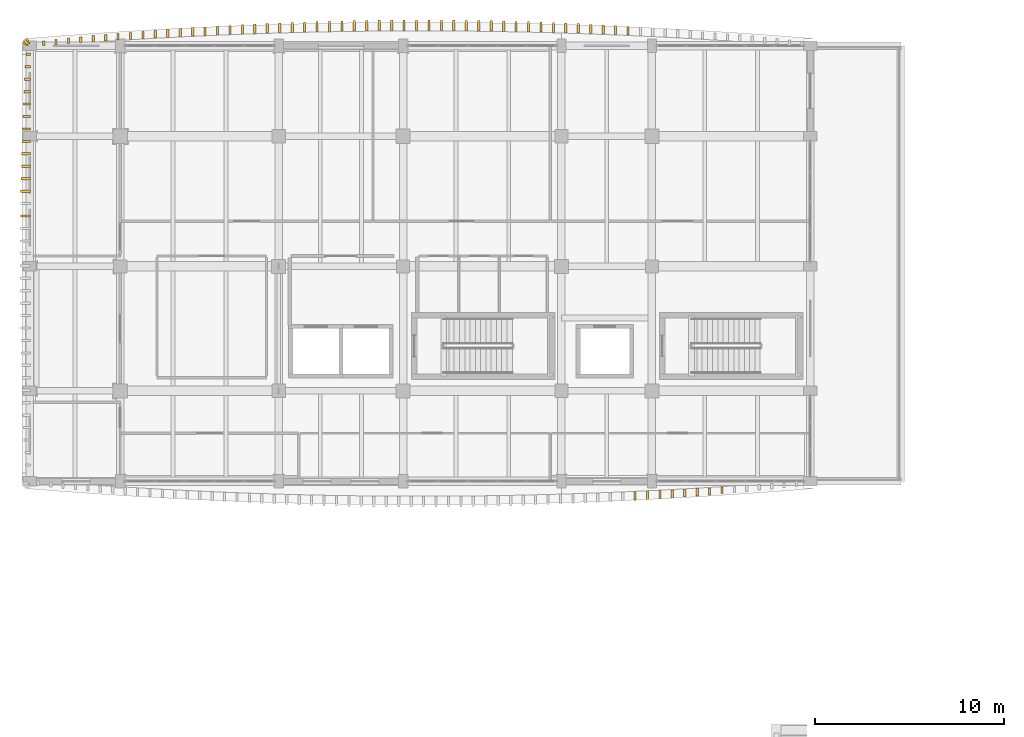
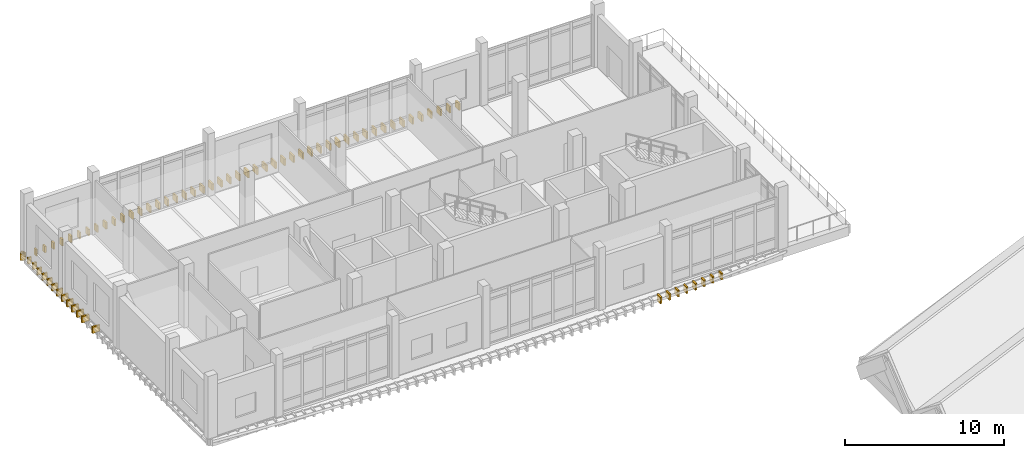
# One storey, part 44 of 50: 72 coverings.
"""IFC4 building model written with IfcOpenShell, lengths in metres."""

from ifc_helpers import new_model, si_unit, direction, frame, origin, origin_2d, place, context, subcontext, project, spatial, rectangle, extrude, material, layer, layer_set, type_object, element, save


model = new_model("IFC4")

# Units and contexts
model_context = context("Model", 3, precision=1e-05, world=origin(), true_north=direction((0.0, 1.0)))
body_context = subcontext(model_context, "Body", "Model", "MODEL_VIEW")
ifc_project = project(units=[si_unit("LENGTHUNIT", "METRE"), si_unit("AREAUNIT", "SQUARE_METRE"), si_unit("VOLUMEUNIT", "CUBIC_METRE"), si_unit("PLANEANGLEUNIT", "RADIAN"), si_unit("MASSUNIT", "GRAM", prefix="KILO")], contexts=[model_context])

# Site, building, storey
site_placement = place(None, origin())
site = spatial("IfcSite", under=ifc_project, at=site_placement, CompositionType="ELEMENT")
building_placement = place(site_placement, origin())
building = spatial("IfcBuilding", under=site, at=building_placement, Name="Dornvale Research Institute", CompositionType="ELEMENT")
storey_placement = place(building_placement, frame((0.0, 0.0, 19.800048828125)))
storey = spatial("IfcBuildingStorey", under=building, at=storey_placement, Name="L04", CompositionType="ELEMENT", Elevation=19.800048828125)

# Coverings
ifc_material = material(Name="Polychrome Glazed Terracotta Visor Rib Ceramic", Category="masonry")
ifc_layer = layer(ifc_material, 0.1201171875)
ifc_layer_set = layer_set([ifc_layer], Name="Polychrome Glazed Terracotta Visor Rib Ceramic")
covering_type = type_object("IfcCoveringType", Name="Covering_VisorBlade_Main", PredefinedType="CLADDING", material=ifc_layer_set)
covering_1_placement = place(storey_placement, frame((32.102783203125, 98.220703125, -0.489990234375), z_axis=(0.0, 0.0, 1.0), x_axis=(0.0, 1.0, 0.0)))
element("IfcCovering", 1, at=covering_1_placement, inside=storey, type_object=covering_type, Name="L04 V5 canted glazed terracotta visor blade #671", PredefinedType="CLADDING", context=body_context, shape_type="SweptSolid", body=[
    extrude(rectangle(XDim=0.45703125, YDim=0.1201171875, at=origin_2d()), origin(), (0.0, 0.0, 1.0), 0.5),
])
covering_2_placement = place(storey_placement, frame((32.76220703125, 98.257080078125, -0.489990234375), z_axis=(0.0, 0.0, 1.0), x_axis=(0.0, 1.0, 0.0)))
element("IfcCovering", 2, at=covering_2_placement, inside=storey, type_object=covering_type, Name="L04 V5 canted glazed terracotta visor blade #672", PredefinedType="CLADDING", context=body_context, shape_type="SweptSolid", body=[
    extrude(rectangle(XDim=0.445068359375, YDim=0.1201171875, at=origin_2d()), origin(), (0.0, 0.0, 1.0), 0.5),
])
covering_3_placement = place(storey_placement, frame((33.42138671875, 98.2958984375, -0.489990234375), z_axis=(0.0, 0.0, 1.0), x_axis=(0.0, 1.0, 0.0)))
element("IfcCovering", 3, at=covering_3_placement, inside=storey, type_object=covering_type, Name="L04 V5 canted glazed terracotta visor blade #673", PredefinedType="CLADDING", context=body_context, shape_type="SweptSolid", body=[
    extrude(rectangle(XDim=0.431884765625, YDim=0.1201171875, at=origin_2d()), origin(), (0.0, 0.0, 1.0), 0.5),
])
covering_4_placement = place(storey_placement, frame((34.08056640625, 98.33740234375, -0.489990234375), z_axis=(0.0, 0.0, 1.0), x_axis=(0.0, 1.0, 0.0)))
element("IfcCovering", 4, at=covering_4_placement, inside=storey, type_object=covering_type, Name="L04 V5 canted glazed terracotta visor blade #674", PredefinedType="CLADDING", context=body_context, shape_type="SweptSolid", body=[
    extrude(rectangle(XDim=0.41796875, YDim=0.1201171875, at=origin_2d()), origin(), (0.0, 0.0, 1.0), 0.5),
])
covering_5_placement = place(storey_placement, frame((34.739501953125, 98.379150390625, -0.489990234375), z_axis=(0.0, 0.0, 1.0), x_axis=(0.0, 1.0, 0.0)))
element("IfcCovering", 5, at=covering_5_placement, inside=storey, type_object=covering_type, Name="L04 V5 canted glazed terracotta visor blade #675", PredefinedType="CLADDING", context=body_context, shape_type="SweptSolid", body=[
    extrude(rectangle(XDim=0.404052734375, YDim=0.1201171875, at=origin_2d()), origin(), (0.0, 0.0, 1.0), 0.5),
])
covering_6_placement = place(storey_placement, frame((35.3984375, 98.42529296875, -0.489990234375), z_axis=(0.0, 0.0, 1.0), x_axis=(0.0, 1.0, 0.0)))
element("IfcCovering", 6, at=covering_6_placement, inside=storey, type_object=covering_type, Name="L04 V5 canted glazed terracotta visor blade #676", PredefinedType="CLADDING", context=body_context, shape_type="SweptSolid", body=[
    extrude(rectangle(XDim=0.388916015625, YDim=0.1201171875, at=origin_2d()), origin(), (0.0, 0.0, 1.0), 0.5),
])
covering_7_placement = place(storey_placement, frame((36.057373046875, 98.472412109375, -0.489990234375), z_axis=(0.0, 0.0, 1.0), x_axis=(0.0, 1.0, 0.0)))
element("IfcCovering", 7, at=covering_7_placement, inside=storey, type_object=covering_type, Name="L04 V5 canted glazed terracotta visor blade #677", PredefinedType="CLADDING", context=body_context, shape_type="SweptSolid", body=[
    extrude(rectangle(XDim=0.373046875, YDim=0.1201171875, at=origin_2d()), origin(), (0.0, 0.0, 1.0), 0.5),
])
covering_8_placement = place(storey_placement, frame((36.716064453125, 98.521240234375, -0.489990234375), z_axis=(0.0, 0.0, 1.0), x_axis=(0.0, 1.0, 0.0)))
element("IfcCovering", 8, at=covering_8_placement, inside=storey, type_object=covering_type, Name="L04 V5 canted glazed terracotta visor blade #678", PredefinedType="CLADDING", context=body_context, shape_type="SweptSolid", body=[
    extrude(rectangle(XDim=0.35693359375, YDim=0.1201171875, at=origin_2d()), origin(), (0.0, 0.0, 1.0), 0.5),
])
covering_9_placement = place(storey_placement, frame((31.729736328125, 122.89990234375, -0.489990234375), z_axis=(0.0, 0.0, 1.0), x_axis=(0.0, 1.0, 0.0)))
element("IfcCovering", 9, at=covering_9_placement, inside=storey, type_object=covering_type, Name="L04 V5 canted glazed terracotta visor blade #699", PredefinedType="CLADDING", context=body_context, shape_type="SweptSolid", body=[
    extrude(rectangle(XDim=0.464111328125, YDim=0.1201171875, at=origin_2d()), origin(), (0.0, 0.0, 1.0), 0.5),
])
covering_10_placement = place(storey_placement, frame((31.0703125, 122.93310546875, -0.489990234375), z_axis=(0.0, 0.0, 1.0), x_axis=(0.0, 1.0, 0.0)))
element("IfcCovering", 10, at=covering_10_placement, inside=storey, type_object=covering_type, Name="L04 V5 canted glazed terracotta visor blade #700", PredefinedType="CLADDING", context=body_context, shape_type="SweptSolid", body=[
    extrude(rectangle(XDim=0.47509765625, YDim=0.1201171875, at=origin_2d()), origin(), (0.0, 0.0, 1.0), 0.5),
])
covering_11_placement = place(storey_placement, frame((30.410888671875, 122.964111328125, -0.489990234375), z_axis=(0.0, 0.0, 1.0), x_axis=(0.0, 1.0, 0.0)))
element("IfcCovering", 11, at=covering_11_placement, inside=storey, type_object=covering_type, Name="L04 V5 canted glazed terracotta visor blade #701", PredefinedType="CLADDING", context=body_context, shape_type="SweptSolid", body=[
    extrude(rectangle(XDim=0.485107421875, YDim=0.1201171875, at=origin_2d()), origin(), (0.0, 0.0, 1.0), 0.5),
])
covering_12_placement = place(storey_placement, frame((29.751220703125, 122.994873046875, -0.489990234375), z_axis=(0.0, 0.0, 1.0), x_axis=(0.0, 1.0, 0.0)))
element("IfcCovering", 12, at=covering_12_placement, inside=storey, type_object=covering_type, Name="L04 V5 canted glazed terracotta visor blade #702", PredefinedType="CLADDING", context=body_context, shape_type="SweptSolid", body=[
    extrude(rectangle(XDim=0.4951171875, YDim=0.1201171875, at=origin_2d()), origin(), (0.0, 0.0, 1.0), 0.5),
])
covering_13_placement = place(storey_placement, frame((29.091552734375, 123.02099609375, -0.489990234375), z_axis=(0.0, 0.0, 1.0), x_axis=(0.0, 1.0, 0.0)))
element("IfcCovering", 13, at=covering_13_placement, inside=storey, type_object=covering_type, Name="L04 V5 canted glazed terracotta visor blade #703", PredefinedType="CLADDING", context=body_context, shape_type="SweptSolid", body=[
    extrude(rectangle(XDim=0.50390625, YDim=0.1201171875, at=origin_2d()), origin(), (0.0, 0.0, 1.0), 0.5),
])
covering_14_placement = place(storey_placement, frame((28.431884765625, 123.047119140625, -0.489990234375), z_axis=(0.0, 0.0, 1.0), x_axis=(0.0, 1.0, 0.0)))
element("IfcCovering", 14, at=covering_14_placement, inside=storey, type_object=covering_type, Name="L04 V5 canted glazed terracotta visor blade #704", PredefinedType="CLADDING", context=body_context, shape_type="SweptSolid", body=[
    extrude(rectangle(XDim=0.512939453125, YDim=0.1201171875, at=origin_2d()), origin(), (0.0, 0.0, 1.0), 0.5),
])
covering_15_placement = place(storey_placement, frame((27.772216796875, 123.06982421875, -0.489990234375), z_axis=(0.0, 0.0, 1.0), x_axis=(0.0, 1.0, 0.0)))
element("IfcCovering", 15, at=covering_15_placement, inside=storey, type_object=covering_type, Name="L04 V5 canted glazed terracotta visor blade #705", PredefinedType="CLADDING", context=body_context, shape_type="SweptSolid", body=[
    extrude(rectangle(XDim=0.52001953125, YDim=0.1201171875, at=origin_2d()), origin(), (0.0, 0.0, 1.0), 0.5),
])
covering_16_placement = place(storey_placement, frame((27.112548828125, 123.0908203125, -0.489990234375), z_axis=(0.0, 0.0, 1.0), x_axis=(0.0, 1.0, 0.0)))
element("IfcCovering", 16, at=covering_16_placement, inside=storey, type_object=covering_type, Name="L04 V5 canted glazed terracotta visor blade #706", PredefinedType="CLADDING", context=body_context, shape_type="SweptSolid", body=[
    extrude(rectangle(XDim=0.527099609375, YDim=0.1201171875, at=origin_2d()), origin(), (0.0, 0.0, 1.0), 0.5),
])
covering_17_placement = place(storey_placement, frame((26.45263671875, 123.111328125, -0.489990234375), z_axis=(0.0, 0.0, 1.0), x_axis=(0.0, 1.0, 0.0)))
element("IfcCovering", 17, at=covering_17_placement, inside=storey, type_object=covering_type, Name="L04 V5 canted glazed terracotta visor blade #707", PredefinedType="CLADDING", context=body_context, shape_type="SweptSolid", body=[
    extrude(rectangle(XDim=0.533935546875, YDim=0.1201171875, at=origin_2d()), origin(), (0.0, 0.0, 1.0), 0.5),
])
covering_18_placement = place(storey_placement, frame((25.792724609375, 123.126708984375, -0.489990234375), z_axis=(0.0, 0.0, 1.0), x_axis=(0.0, 1.0, 0.0)))
element("IfcCovering", 18, at=covering_18_placement, inside=storey, type_object=covering_type, Name="L04 V5 canted glazed terracotta visor blade #708", PredefinedType="CLADDING", context=body_context, shape_type="SweptSolid", body=[
    extrude(rectangle(XDim=0.5390625, YDim=0.1201171875, at=origin_2d()), origin(), (0.0, 0.0, 1.0), 0.5),
])
covering_19_placement = place(storey_placement, frame((25.133056640625, 123.14208984375, -0.489990234375), z_axis=(0.0, 0.0, 1.0), x_axis=(0.0, 1.0, 0.0)))
element("IfcCovering", 19, at=covering_19_placement, inside=storey, type_object=covering_type, Name="L04 V5 canted glazed terracotta visor blade #709", PredefinedType="CLADDING", context=body_context, shape_type="SweptSolid", body=[
    extrude(rectangle(XDim=0.5439453125, YDim=0.1201171875, at=origin_2d()), origin(), (0.0, 0.0, 1.0), 0.5),
])
covering_20_placement = place(storey_placement, frame((24.47314453125, 123.1552734375, -0.489990234375), z_axis=(0.0, 0.0, 1.0), x_axis=(0.0, 1.0, 0.0)))
element("IfcCovering", 20, at=covering_20_placement, inside=storey, type_object=covering_type, Name="L04 V5 canted glazed terracotta visor blade #710", PredefinedType="CLADDING", context=body_context, shape_type="SweptSolid", body=[
    extrude(rectangle(XDim=0.549072265625, YDim=0.1201171875, at=origin_2d()), origin(), (0.0, 0.0, 1.0), 0.5),
])
covering_21_placement = place(storey_placement, frame((23.81298828125, 123.16552734375, -0.489990234375), z_axis=(0.0, 0.0, 1.0), x_axis=(0.0, 1.0, 0.0)))
element("IfcCovering", 21, at=covering_21_placement, inside=storey, type_object=covering_type, Name="L04 V5 canted glazed terracotta visor blade #711", PredefinedType="CLADDING", context=body_context, shape_type="SweptSolid", body=[
    extrude(rectangle(XDim=0.552001953125, YDim=0.1201171875, at=origin_2d()), origin(), (0.0, 0.0, 1.0), 0.5),
])
covering_22_placement = place(storey_placement, frame((23.1533203125, 123.175537109375, -0.489990234375), z_axis=(0.0, 0.0, 1.0), x_axis=(0.0, 1.0, 0.0)))
element("IfcCovering", 22, at=covering_22_placement, inside=storey, type_object=covering_type, Name="L04 V5 canted glazed terracotta visor blade #712", PredefinedType="CLADDING", context=body_context, shape_type="SweptSolid", body=[
    extrude(rectangle(XDim=0.554931640625, YDim=0.1201171875, at=origin_2d()), origin(), (0.0, 0.0, 1.0), 0.5),
])
covering_23_placement = place(storey_placement, frame((22.4931640625, 123.180908203125, -0.489990234375), z_axis=(0.0, 0.0, 1.0), x_axis=(0.0, 1.0, 0.0)))
element("IfcCovering", 23, at=covering_23_placement, inside=storey, type_object=covering_type, Name="L04 V5 canted glazed terracotta visor blade #713", PredefinedType="CLADDING", context=body_context, shape_type="SweptSolid", body=[
    extrude(rectangle(XDim=0.556884765625, YDim=0.1201171875, at=origin_2d()), origin(), (0.0, 0.0, 1.0), 0.5),
])
covering_24_placement = place(storey_placement, frame((21.833251953125, 123.18603515625, -0.489990234375), z_axis=(0.0, 0.0, 1.0), x_axis=(0.0, 1.0, 0.0)))
element("IfcCovering", 24, at=covering_24_placement, inside=storey, type_object=covering_type, Name="L04 V5 canted glazed terracotta visor blade #714", PredefinedType="CLADDING", context=body_context, shape_type="SweptSolid", body=[
    extrude(rectangle(XDim=0.55908203125, YDim=0.1201171875, at=origin_2d()), origin(), (0.0, 0.0, 1.0), 0.5),
])
for number, where, z_axis, x_axis, name in (
    (25, (21.173095703125, 123.188720703125, -0.489990234375), (0.0, 0.0, 1.0), (0.0, 1.0, 0.0), "L04 V5 canted glazed terracotta visor blade #715"),
    (26, (20.51318359375, 123.188720703125, -0.489990234375), (0.0, 0.0, 1.0), (0.0, 1.0, 0.0), "L04 V5 canted glazed terracotta visor blade #716"),
):
    element("IfcCovering", number, at=place(storey_placement, frame(where, z_axis=z_axis, x_axis=x_axis)), inside=storey, type_object=covering_type, Name=name, PredefinedType="CLADDING", context=body_context, shape_type="SweptSolid", body=[
        extrude(rectangle(XDim=0.56005859375, YDim=0.1201171875, at=origin_2d()), origin(), (0.0, 0.0, 1.0), 0.5),
    ])
covering_25_placement = place(storey_placement, frame((19.853271484375, 123.18798828125, -0.489990234375), z_axis=(0.0, 0.0, 1.0), x_axis=(0.0, 1.0, 0.0)))
element("IfcCovering", 27, at=covering_25_placement, inside=storey, type_object=covering_type, Name="L04 V5 canted glazed terracotta visor blade #717", PredefinedType="CLADDING", context=body_context, shape_type="SweptSolid", body=[
    extrude(rectangle(XDim=0.55908203125, YDim=0.1201171875, at=origin_2d()), origin(), (0.0, 0.0, 1.0), 0.5),
])
covering_26_placement = place(storey_placement, frame((19.193115234375, 123.18310546875, -0.489990234375), z_axis=(0.0, 0.0, 1.0), x_axis=(0.0, 1.0, 0.0)))
element("IfcCovering", 28, at=covering_26_placement, inside=storey, type_object=covering_type, Name="L04 V5 canted glazed terracotta visor blade #718", PredefinedType="CLADDING", context=body_context, shape_type="SweptSolid", body=[
    extrude(rectangle(XDim=0.55810546875, YDim=0.1201171875, at=origin_2d()), origin(), (0.0, 0.0, 1.0), 0.5),
])
covering_27_placement = place(storey_placement, frame((18.533203125, 123.177978515625, -0.489990234375), z_axis=(0.0, 0.0, 1.0), x_axis=(0.0, 1.0, 0.0)))
element("IfcCovering", 29, at=covering_27_placement, inside=storey, type_object=covering_type, Name="L04 V5 canted glazed terracotta visor blade #719", PredefinedType="CLADDING", context=body_context, shape_type="SweptSolid", body=[
    extrude(rectangle(XDim=0.555908203125, YDim=0.1201171875, at=origin_2d()), origin(), (0.0, 0.0, 1.0), 0.5),
])
covering_28_placement = place(storey_placement, frame((17.873291015625, 123.17041015625, -0.489990234375), z_axis=(0.0, 0.0, 1.0), x_axis=(0.0, 1.0, 0.0)))
element("IfcCovering", 30, at=covering_28_placement, inside=storey, type_object=covering_type, Name="L04 V5 canted glazed terracotta visor blade #720", PredefinedType="CLADDING", context=body_context, shape_type="SweptSolid", body=[
    extrude(rectangle(XDim=0.553955078125, YDim=0.1201171875, at=origin_2d()), origin(), (0.0, 0.0, 1.0), 0.5),
])
covering_29_placement = place(storey_placement, frame((17.21337890625, 123.15966796875, -0.489990234375), z_axis=(0.0, 0.0, 1.0), x_axis=(0.0, 1.0, 0.0)))
element("IfcCovering", 31, at=covering_29_placement, inside=storey, type_object=covering_type, Name="L04 V5 canted glazed terracotta visor blade #721", PredefinedType="CLADDING", context=body_context, shape_type="SweptSolid", body=[
    extrude(rectangle(XDim=0.550048828125, YDim=0.1201171875, at=origin_2d()), origin(), (0.0, 0.0, 1.0), 0.5),
])
covering_30_placement = place(storey_placement, frame((16.553466796875, 123.14892578125, -0.489990234375), z_axis=(0.0, 0.0, 1.0), x_axis=(0.0, 1.0, 0.0)))
element("IfcCovering", 32, at=covering_30_placement, inside=storey, type_object=covering_type, Name="L04 V5 canted glazed terracotta visor blade #722", PredefinedType="CLADDING", context=body_context, shape_type="SweptSolid", body=[
    extrude(rectangle(XDim=0.5458984375, YDim=0.1201171875, at=origin_2d()), origin(), (0.0, 0.0, 1.0), 0.5),
])
covering_31_placement = place(storey_placement, frame((15.8935546875, 123.1337890625, -0.489990234375), z_axis=(0.0, 0.0, 1.0), x_axis=(0.0, 1.0, 0.0)))
element("IfcCovering", 33, at=covering_31_placement, inside=storey, type_object=covering_type, Name="L04 V5 canted glazed terracotta visor blade #723", PredefinedType="CLADDING", context=body_context, shape_type="SweptSolid", body=[
    extrude(rectangle(XDim=0.5419921875, YDim=0.1201171875, at=origin_2d()), origin(), (0.0, 0.0, 1.0), 0.5),
])
covering_32_placement = place(storey_placement, frame((15.233642578125, 123.117919921875, -0.489990234375), z_axis=(0.0, 0.0, 1.0), x_axis=(0.0, 1.0, 0.0)))
element("IfcCovering", 34, at=covering_32_placement, inside=storey, type_object=covering_type, Name="L04 V5 canted glazed terracotta visor blade #724", PredefinedType="CLADDING", context=body_context, shape_type="SweptSolid", body=[
    extrude(rectangle(XDim=0.535888671875, YDim=0.1201171875, at=origin_2d()), origin(), (0.0, 0.0, 1.0), 0.5),
])
covering_33_placement = place(storey_placement, frame((14.57373046875, 123.099609375, -0.489990234375), z_axis=(0.0, 0.0, 1.0), x_axis=(0.0, 1.0, 0.0)))
element("IfcCovering", 35, at=covering_33_placement, inside=storey, type_object=covering_type, Name="L04 V5 canted glazed terracotta visor blade #725", PredefinedType="CLADDING", context=body_context, shape_type="SweptSolid", body=[
    extrude(rectangle(XDim=0.530029296875, YDim=0.1201171875, at=origin_2d()), origin(), (0.0, 0.0, 1.0), 0.5),
])
covering_34_placement = place(storey_placement, frame((13.9140625, 123.079345703125, -0.489990234375), z_axis=(0.0, 0.0, 1.0), x_axis=(0.0, 1.0, 0.0)))
element("IfcCovering", 36, at=covering_34_placement, inside=storey, type_object=covering_type, Name="L04 V5 canted glazed terracotta visor blade #726", PredefinedType="CLADDING", context=body_context, shape_type="SweptSolid", body=[
    extrude(rectangle(XDim=0.52392578125, YDim=0.1201171875, at=origin_2d()), origin(), (0.0, 0.0, 1.0), 0.5),
])
covering_35_placement = place(storey_placement, frame((13.25439453125, 123.05810546875, -0.489990234375), z_axis=(0.0, 0.0, 1.0), x_axis=(0.0, 1.0, 0.0)))
element("IfcCovering", 37, at=covering_35_placement, inside=storey, type_object=covering_type, Name="L04 V5 canted glazed terracotta visor blade #727", PredefinedType="CLADDING", context=body_context, shape_type="SweptSolid", body=[
    extrude(rectangle(XDim=0.51611328125, YDim=0.1201171875, at=origin_2d()), origin(), (0.0, 0.0, 1.0), 0.5),
])
covering_36_placement = place(storey_placement, frame((12.594482421875, 123.0322265625, -0.489990234375), z_axis=(0.0, 0.0, 1.0), x_axis=(0.0, 1.0, 0.0)))
element("IfcCovering", 38, at=covering_36_placement, inside=storey, type_object=covering_type, Name="L04 V5 canted glazed terracotta visor blade #728", PredefinedType="CLADDING", context=body_context, shape_type="SweptSolid", body=[
    extrude(rectangle(XDim=0.508056640625, YDim=0.1201171875, at=origin_2d()), origin(), (0.0, 0.0, 1.0), 0.5),
])
covering_37_placement = place(storey_placement, frame((11.93505859375, 123.006103515625, -0.489990234375), z_axis=(0.0, 0.0, 1.0), x_axis=(0.0, 1.0, 0.0)))
element("IfcCovering", 39, at=covering_37_placement, inside=storey, type_object=covering_type, Name="L04 V5 canted glazed terracotta visor blade #729", PredefinedType="CLADDING", context=body_context, shape_type="SweptSolid", body=[
    extrude(rectangle(XDim=0.4990234375, YDim=0.1201171875, at=origin_2d()), origin(), (0.0, 0.0, 1.0), 0.5),
])
covering_38_placement = place(storey_placement, frame((11.275390625, 122.977783203125, -0.489990234375), z_axis=(0.0, 0.0, 1.0), x_axis=(0.0, 1.0, 0.0)))
element("IfcCovering", 40, at=covering_38_placement, inside=storey, type_object=covering_type, Name="L04 V5 canted glazed terracotta visor blade #730", PredefinedType="CLADDING", context=body_context, shape_type="SweptSolid", body=[
    extrude(rectangle(XDim=0.489990234375, YDim=0.1201171875, at=origin_2d()), origin(), (0.0, 0.0, 1.0), 0.5),
])
covering_39_placement = place(storey_placement, frame((10.615966796875, 122.946533203125, -0.489990234375), z_axis=(0.0, 0.0, 1.0), x_axis=(0.0, 1.0, 0.0)))
element("IfcCovering", 41, at=covering_39_placement, inside=storey, type_object=covering_type, Name="L04 V5 canted glazed terracotta visor blade #731", PredefinedType="CLADDING", context=body_context, shape_type="SweptSolid", body=[
    extrude(rectangle(XDim=0.47900390625, YDim=0.1201171875, at=origin_2d()), origin(), (0.0, 0.0, 1.0), 0.5),
])
covering_40_placement = place(storey_placement, frame((9.956298828125, 122.91552734375, -0.489990234375), z_axis=(0.0, 0.0, 1.0), x_axis=(0.0, 1.0, 0.0)))
element("IfcCovering", 42, at=covering_40_placement, inside=storey, type_object=covering_type, Name="L04 V5 canted glazed terracotta visor blade #732", PredefinedType="CLADDING", context=body_context, shape_type="SweptSolid", body=[
    extrude(rectangle(XDim=0.468994140625, YDim=0.1201171875, at=origin_2d()), origin(), (0.0, 0.0, 1.0), 0.5),
])
covering_41_placement = place(storey_placement, frame((9.297119140625, 122.87939453125, -0.489990234375), z_axis=(0.0, 0.0, 1.0), x_axis=(0.0, 1.0, 0.0)))
element("IfcCovering", 43, at=covering_41_placement, inside=storey, type_object=covering_type, Name="L04 V5 canted glazed terracotta visor blade #733", PredefinedType="CLADDING", context=body_context, shape_type="SweptSolid", body=[
    extrude(rectangle(XDim=0.45703125, YDim=0.1201171875, at=origin_2d()), origin(), (0.0, 0.0, 1.0), 0.5),
])
covering_42_placement = place(storey_placement, frame((8.6376953125, 122.843017578125, -0.489990234375), z_axis=(0.0, 0.0, 1.0), x_axis=(0.0, 1.0, 0.0)))
element("IfcCovering", 44, at=covering_42_placement, inside=storey, type_object=covering_type, Name="L04 V5 canted glazed terracotta visor blade #734", PredefinedType="CLADDING", context=body_context, shape_type="SweptSolid", body=[
    extrude(rectangle(XDim=0.445068359375, YDim=0.1201171875, at=origin_2d()), origin(), (0.0, 0.0, 1.0), 0.5),
])
covering_43_placement = place(storey_placement, frame((7.978515625, 122.80419921875, -0.489990234375), z_axis=(0.0, 0.0, 1.0), x_axis=(0.0, 1.0, 0.0)))
element("IfcCovering", 45, at=covering_43_placement, inside=storey, type_object=covering_type, Name="L04 V5 canted glazed terracotta visor blade #735", PredefinedType="CLADDING", context=body_context, shape_type="SweptSolid", body=[
    extrude(rectangle(XDim=0.431884765625, YDim=0.1201171875, at=origin_2d()), origin(), (0.0, 0.0, 1.0), 0.5),
])
covering_44_placement = place(storey_placement, frame((7.319580078125, 122.762451171875, -0.489990234375), z_axis=(0.0, 0.0, 1.0), x_axis=(0.0, 1.0, 0.0)))
element("IfcCovering", 46, at=covering_44_placement, inside=storey, type_object=covering_type, Name="L04 V5 canted glazed terracotta visor blade #736", PredefinedType="CLADDING", context=body_context, shape_type="SweptSolid", body=[
    extrude(rectangle(XDim=0.41796875, YDim=0.1201171875, at=origin_2d()), origin(), (0.0, 0.0, 1.0), 0.5),
])
covering_45_placement = place(storey_placement, frame((6.660400390625, 122.720947265625, -0.489990234375), z_axis=(0.0, 0.0, 1.0), x_axis=(0.0, 1.0, 0.0)))
element("IfcCovering", 47, at=covering_45_placement, inside=storey, type_object=covering_type, Name="L04 V5 canted glazed terracotta visor blade #737", PredefinedType="CLADDING", context=body_context, shape_type="SweptSolid", body=[
    extrude(rectangle(XDim=0.404052734375, YDim=0.1201171875, at=origin_2d()), origin(), (0.0, 0.0, 1.0), 0.5),
])
covering_46_placement = place(storey_placement, frame((6.001708984375, 122.6748046875, -0.489990234375), z_axis=(0.0, 0.0, 1.0), x_axis=(0.0, 1.0, 0.0)))
element("IfcCovering", 48, at=covering_46_placement, inside=storey, type_object=covering_type, Name="L04 V5 canted glazed terracotta visor blade #738", PredefinedType="CLADDING", context=body_context, shape_type="SweptSolid", body=[
    extrude(rectangle(XDim=0.388916015625, YDim=0.1201171875, at=origin_2d()), origin(), (0.0, 0.0, 1.0), 0.5),
])
covering_47_placement = place(storey_placement, frame((5.3427734375, 122.627685546875, -0.489990234375), z_axis=(0.0, 0.0, 1.0), x_axis=(0.0, 1.0, 0.0)))
element("IfcCovering", 49, at=covering_47_placement, inside=storey, type_object=covering_type, Name="L04 V5 canted glazed terracotta visor blade #739", PredefinedType="CLADDING", context=body_context, shape_type="SweptSolid", body=[
    extrude(rectangle(XDim=0.373046875, YDim=0.1201171875, at=origin_2d()), origin(), (0.0, 0.0, 1.0), 0.5),
])
covering_48_placement = place(storey_placement, frame((4.68408203125, 122.578857421875, -0.489990234375), z_axis=(0.0, 0.0, 1.0), x_axis=(0.0, 1.0, 0.0)))
element("IfcCovering", 50, at=covering_48_placement, inside=storey, type_object=covering_type, Name="L04 V5 canted glazed terracotta visor blade #740", PredefinedType="CLADDING", context=body_context, shape_type="SweptSolid", body=[
    extrude(rectangle(XDim=0.35693359375, YDim=0.1201171875, at=origin_2d()), origin(), (0.0, 0.0, 1.0), 0.5),
])
covering_49_placement = place(storey_placement, frame((4.025390625, 122.527099609375, -0.489990234375), z_axis=(0.0, 0.0, 1.0), x_axis=(0.0, 1.0, 0.0)))
element("IfcCovering", 51, at=covering_49_placement, inside=storey, type_object=covering_type, Name="L04 V5 canted glazed terracotta visor blade #741", PredefinedType="CLADDING", context=body_context, shape_type="SweptSolid", body=[
    extrude(rectangle(XDim=0.340087890625, YDim=0.1201171875, at=origin_2d()), origin(), (0.0, 0.0, 1.0), 0.5),
])
covering_50_placement = place(storey_placement, frame((3.36669921875, 122.474853515625, -0.489990234375), z_axis=(0.0, 0.0, 1.0), x_axis=(0.0, 1.0, 0.0)))
element("IfcCovering", 52, at=covering_50_placement, inside=storey, type_object=covering_type, Name="L04 V5 canted glazed terracotta visor blade #742", PredefinedType="CLADDING", context=body_context, shape_type="SweptSolid", body=[
    extrude(rectangle(XDim=0.322021484375, YDim=0.1201171875, at=origin_2d()), origin(), (0.0, 0.0, 1.0), 0.5),
])
covering_51_placement = place(storey_placement, frame((2.70849609375, 122.418212890625, -0.489990234375), z_axis=(0.0, 0.0, 1.0), x_axis=(0.0, 1.0, 0.0)))
element("IfcCovering", 53, at=covering_51_placement, inside=storey, type_object=covering_type, Name="L04 V5 canted glazed terracotta visor blade #743", PredefinedType="CLADDING", context=body_context, shape_type="SweptSolid", body=[
    extrude(rectangle(XDim=0.302978515625, YDim=0.1201171875, at=origin_2d()), origin(), (0.0, 0.0, 1.0), 0.5),
])
covering_52_placement = place(storey_placement, frame((2.05029296875, 122.361083984375, -0.489990234375), z_axis=(0.0, 0.0, 1.0), x_axis=(0.0, 1.0, 0.0)))
element("IfcCovering", 54, at=covering_52_placement, inside=storey, type_object=covering_type, Name="L04 V5 canted glazed terracotta visor blade #744", PredefinedType="CLADDING", context=body_context, shape_type="SweptSolid", body=[
    extrude(rectangle(XDim=0.283935546875, YDim=0.1201171875, at=origin_2d()), origin(), (0.0, 0.0, 1.0), 0.5),
])
covering_53_placement = place(storey_placement, frame((1.39208984375, 122.3017578125, -0.489990234375), z_axis=(0.0, 0.0, 1.0), x_axis=(0.0, 1.0, 0.0)))
element("IfcCovering", 55, at=covering_53_placement, inside=storey, type_object=covering_type, Name="L04 V5 canted glazed terracotta visor blade #745", PredefinedType="CLADDING", context=body_context, shape_type="SweptSolid", body=[
    extrude(rectangle(XDim=0.263916015625, YDim=0.1201171875, at=origin_2d()), origin(), (0.0, 0.0, 1.0), 0.5),
])
covering_54_placement = place(storey_placement, frame((0.734130859375, 122.239990234375, -0.489990234375), z_axis=(0.0, 0.0, 1.0), x_axis=(0.0, 1.0, 0.0)))
element("IfcCovering", 56, at=covering_54_placement, inside=storey, type_object=covering_type, Name="L04 V5 canted glazed terracotta visor blade #746", PredefinedType="CLADDING", context=body_context, shape_type="SweptSolid", body=[
    extrude(rectangle(XDim=0.243896484375, YDim=0.1201171875, at=origin_2d()), origin(), (0.0, 0.0, 1.0), 0.5),
])
covering_55_placement = place(storey_placement, frame((-0.0830078125, 121.64990234375, -0.489990234375), z_axis=(0.0, 0.0, 1.0), x_axis=(1.0, 0.0, 0.0)))
element("IfcCovering", 57, at=covering_55_placement, inside=storey, type_object=covering_type, Name="L04 V5 canted glazed terracotta visor blade #747", PredefinedType="CLADDING", context=body_context, shape_type="SweptSolid", body=[
    extrude(rectangle(XDim=0.24609375, YDim=0.1201171875, at=origin_2d()), origin(), (0.0, 0.0, 1.0), 0.5),
])
covering_56_placement = place(storey_placement, frame((-0.10107421875, 120.989990234375, -0.489990234375), z_axis=(0.0, 0.0, 1.0), x_axis=(1.0, 0.0, 0.0)))
element("IfcCovering", 58, at=covering_56_placement, inside=storey, type_object=covering_type, Name="L04 V5 canted glazed terracotta visor blade #748", PredefinedType="CLADDING", context=body_context, shape_type="SweptSolid", body=[
    extrude(rectangle(XDim=0.281982421875, YDim=0.1201171875, at=origin_2d()), origin(), (0.0, 0.0, 1.0), 0.5),
])
covering_57_placement = place(storey_placement, frame((-0.117919921875, 120.330078125, -0.489990234375), z_axis=(0.0, 0.0, 1.0), x_axis=(1.0, 0.0, 0.0)))
element("IfcCovering", 59, at=covering_57_placement, inside=storey, type_object=covering_type, Name="L04 V5 canted glazed terracotta visor blade #749", PredefinedType="CLADDING", context=body_context, shape_type="SweptSolid", body=[
    extrude(rectangle(XDim=0.31591796875, YDim=0.1201171875, at=origin_2d()), origin(), (0.0, 0.0, 1.0), 0.5),
])
covering_58_placement = place(storey_placement, frame((-0.134033203125, 119.669921875, -0.489990234375), z_axis=(0.0, 0.0, 1.0), x_axis=(1.0, 0.0, 0.0)))
element("IfcCovering", 60, at=covering_58_placement, inside=storey, type_object=covering_type, Name="L04 V5 canted glazed terracotta visor blade #750", PredefinedType="CLADDING", context=body_context, shape_type="SweptSolid", body=[
    extrude(rectangle(XDim=0.347900390625, YDim=0.1201171875, at=origin_2d()), origin(), (0.0, 0.0, 1.0), 0.5),
])
covering_59_placement = place(storey_placement, frame((-0.14892578125, 119.010009765625, -0.489990234375), z_axis=(0.0, 0.0, 1.0), x_axis=(1.0, 0.0, 0.0)))
element("IfcCovering", 61, at=covering_59_placement, inside=storey, type_object=covering_type, Name="L04 V5 canted glazed terracotta visor blade #751", PredefinedType="CLADDING", context=body_context, shape_type="SweptSolid", body=[
    extrude(rectangle(XDim=0.3779296875, YDim=0.1201171875, at=origin_2d()), origin(), (0.0, 0.0, 1.0), 0.5),
])
covering_60_placement = place(storey_placement, frame((-0.16259765625, 118.35009765625, -0.489990234375), z_axis=(0.0, 0.0, 1.0), x_axis=(1.0, 0.0, 0.0)))
element("IfcCovering", 62, at=covering_60_placement, inside=storey, type_object=covering_type, Name="L04 V5 canted glazed terracotta visor blade #752", PredefinedType="CLADDING", context=body_context, shape_type="SweptSolid", body=[
    extrude(rectangle(XDim=0.405029296875, YDim=0.1201171875, at=origin_2d()), origin(), (0.0, 0.0, 1.0), 0.5),
])
covering_61_placement = place(storey_placement, frame((-0.175048828125, 117.68994140625, -0.489990234375), z_axis=(0.0, 0.0, 1.0), x_axis=(1.0, 0.0, 0.0)))
element("IfcCovering", 63, at=covering_61_placement, inside=storey, type_object=covering_type, Name="L04 V5 canted glazed terracotta visor blade #753", PredefinedType="CLADDING", context=body_context, shape_type="SweptSolid", body=[
    extrude(rectangle(XDim=0.429931640625, YDim=0.1201171875, at=origin_2d()), origin(), (0.0, 0.0, 1.0), 0.5),
])
covering_62_placement = place(storey_placement, frame((-0.1865234375, 117.030029296875, -0.489990234375), z_axis=(0.0, 0.0, 1.0), x_axis=(1.0, 0.0, 0.0)))
element("IfcCovering", 64, at=covering_62_placement, inside=storey, type_object=covering_type, Name="L04 V5 canted glazed terracotta visor blade #754", PredefinedType="CLADDING", context=body_context, shape_type="SweptSolid", body=[
    extrude(rectangle(XDim=0.452880859375, YDim=0.1201171875, at=origin_2d()), origin(), (0.0, 0.0, 1.0), 0.5),
])
covering_63_placement = place(storey_placement, frame((-0.197021484375, 116.3701171875, -0.489990234375), z_axis=(0.0, 0.0, 1.0), x_axis=(1.0, 0.0, 0.0)))
element("IfcCovering", 65, at=covering_63_placement, inside=storey, type_object=covering_type, Name="L04 V5 canted glazed terracotta visor blade #755", PredefinedType="CLADDING", context=body_context, shape_type="SweptSolid", body=[
    extrude(rectangle(XDim=0.47412109375, YDim=0.1201171875, at=origin_2d()), origin(), (0.0, 0.0, 1.0), 0.5),
])
covering_64_placement = place(storey_placement, frame((-0.2060546875, 115.7099609375, -0.489990234375), z_axis=(0.0, 0.0, 1.0), x_axis=(1.0, 0.0, 0.0)))
element("IfcCovering", 66, at=covering_64_placement, inside=storey, type_object=covering_type, Name="L04 V5 canted glazed terracotta visor blade #756", PredefinedType="CLADDING", context=body_context, shape_type="SweptSolid", body=[
    extrude(rectangle(XDim=0.491943359375, YDim=0.1201171875, at=origin_2d()), origin(), (0.0, 0.0, 1.0), 0.5),
])
covering_65_placement = place(storey_placement, frame((-0.214111328125, 115.050048828125, -0.489990234375), z_axis=(0.0, 0.0, 1.0), x_axis=(1.0, 0.0, 0.0)))
element("IfcCovering", 67, at=covering_65_placement, inside=storey, type_object=covering_type, Name="L04 V5 canted glazed terracotta visor blade #757", PredefinedType="CLADDING", context=body_context, shape_type="SweptSolid", body=[
    extrude(rectangle(XDim=0.508056640625, YDim=0.1201171875, at=origin_2d()), origin(), (0.0, 0.0, 1.0), 0.5),
])
covering_66_placement = place(storey_placement, frame((-0.220947265625, 114.389892578125, -0.489990234375), z_axis=(0.0, 0.0, 1.0), x_axis=(1.0, 0.0, 0.0)))
element("IfcCovering", 68, at=covering_66_placement, inside=storey, type_object=covering_type, Name="L04 V5 canted glazed terracotta visor blade #758", PredefinedType="CLADDING", context=body_context, shape_type="SweptSolid", body=[
    extrude(rectangle(XDim=0.52197265625, YDim=0.1201171875, at=origin_2d()), origin(), (0.0, 0.0, 1.0), 0.5),
])
covering_67_placement = place(storey_placement, frame((-0.23193359375, 113.070068359375, -0.489990234375), z_axis=(0.0, 0.0, 1.0), x_axis=(1.0, 0.0, 0.0)))
element("IfcCovering", 69, at=covering_67_placement, inside=storey, type_object=covering_type, Name="L04 V5 canted glazed terracotta visor blade #760", PredefinedType="CLADDING", context=body_context, shape_type="SweptSolid", body=[
    extrude(rectangle(XDim=0.5439453125, YDim=0.1201171875, at=origin_2d()), origin(), (0.0, 0.0, 1.0), 0.5),
])
for number, where, z_axis, x_axis, name in (
    (70, (-0.114013671875, 122.3447265625, -0.489990234375), (0.0, 0.0, 1.0), (-0.422618261741, 0.906307787037, 0.0), "L04 V5 corner-wrapping visor blade #784"),
    (71, (-0.19091796875, 122.291015625, -0.489990234375), (0.0, 0.0, 1.0), (-0.707106781187, 0.707106781187, 0.0), "L04 V5 corner-wrapping visor blade #785"),
    (72, (-0.24462890625, 122.214111328125, -0.489990234375), (0.0, 0.0, 1.0), (-0.906307787037, 0.422618261741, 0.0), "L04 V5 corner-wrapping visor blade #786"),
):
    element("IfcCovering", number, at=place(storey_placement, frame(where, z_axis=z_axis, x_axis=x_axis)), inside=storey, type_object=covering_type, Name=name, PredefinedType="CLADDING", context=body_context, shape_type="SweptSolid", body=[
        extrude(rectangle(XDim=0.320068359375, YDim=0.1201171875, at=origin_2d()), origin(), (0.0, 0.0, 1.0), 0.5),
    ])

save(model, "model.ifc")
